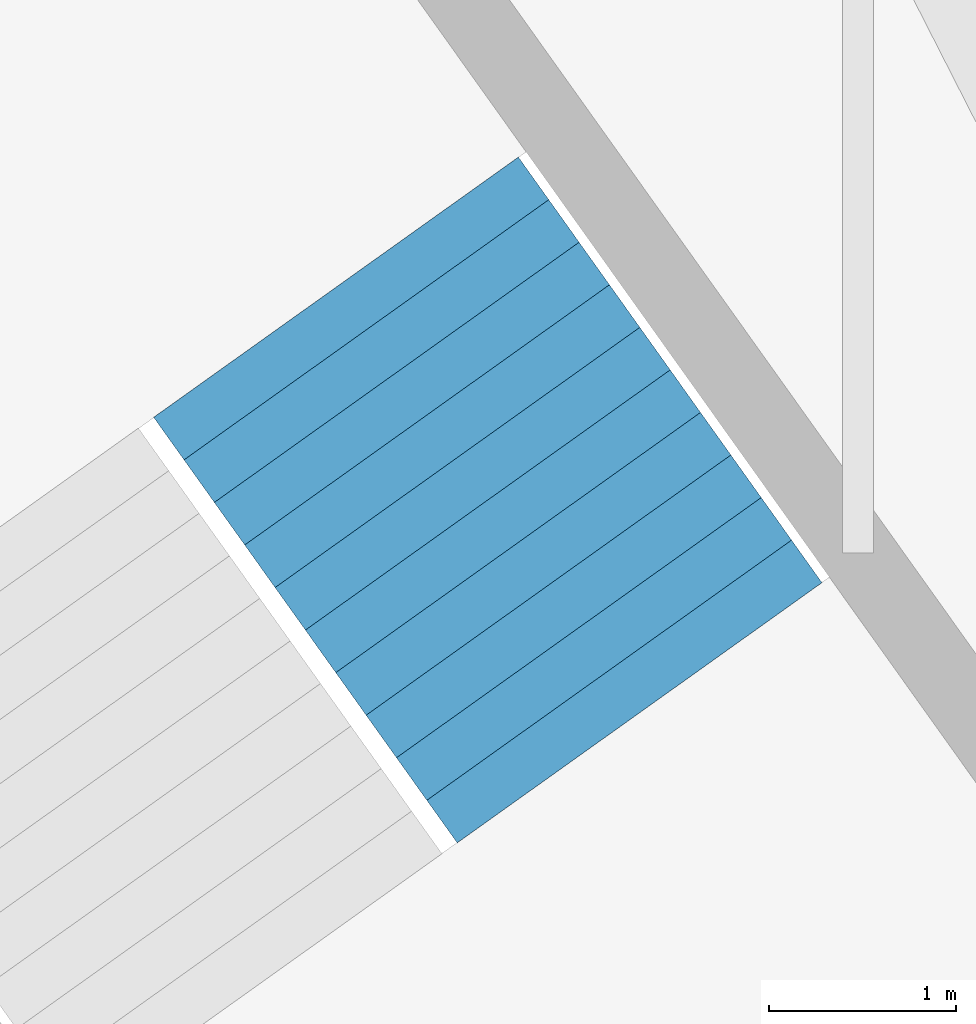
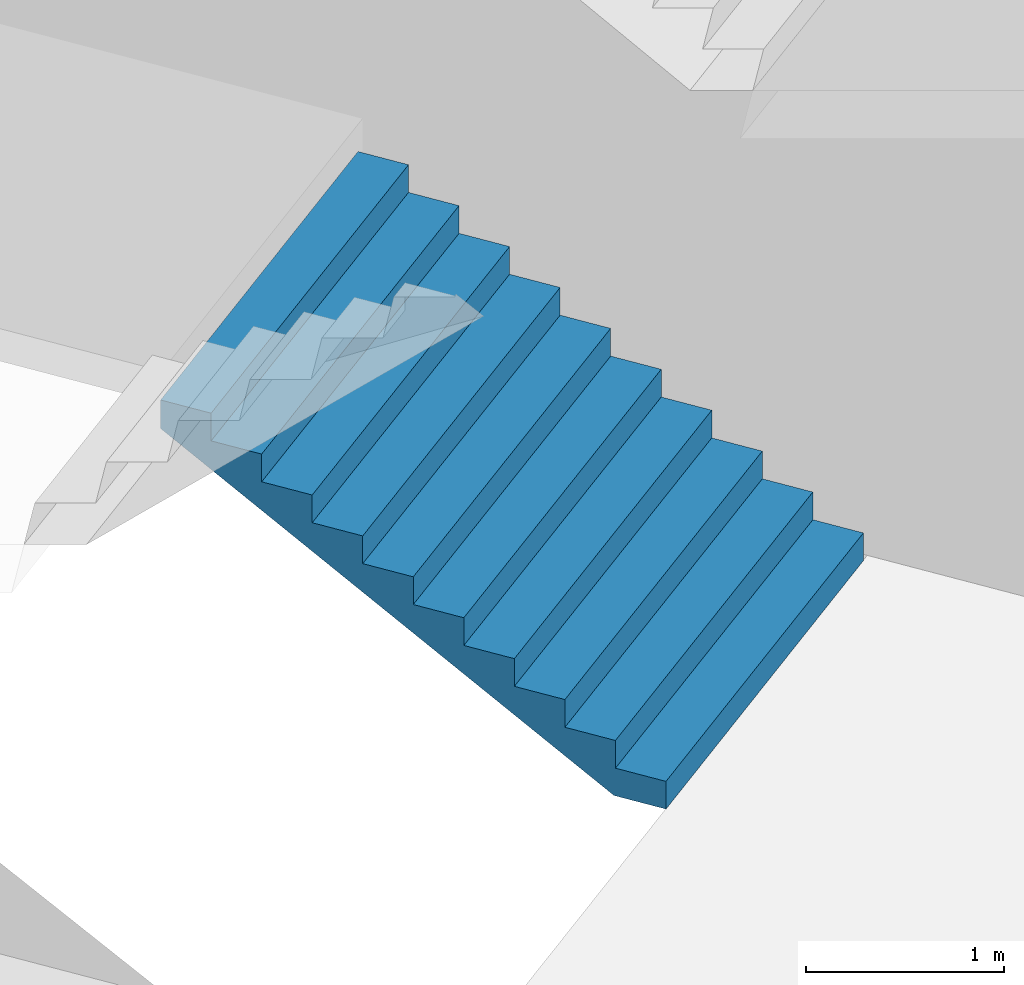
# One storey, part 43 of 73: 1 stair flight, 1 element without a shape of its own.
"""IFC4 building model written with IfcOpenShell, lengths in metres."""

import ifcopenshell
import ifcopenshell.guid

model = None  # the IFC model being written
_history = None  # IfcOwnerHistory: only IFC2X3 demands one
_inside = {}  # id of a spatial element -> (the spatial element, [elements in it])
_under = {}  # id of a project, library or spatial element -> (it, [spatial elements below it])
_declared = {}  # id of a project -> (the project, [libraries it declares])
_typed = {}  # id of a type object -> (the type object, [elements of that type])
_made_of = {}  # id of a material, layer set ... -> (it, [elements and type objects made of it])


def new_model(schema):
    """Start an empty IFC model of exactly this schema.

    Asked for "IFC4X3", IfcOpenShell would pick the latest addendum, in which some entities
    have other attributes; the version numbers below select the first issue.
    IFC2X3 requires an IfcOwnerHistory on every rooted entity: one is made here for all.
    """
    global model, _history
    if schema == "IFC4X3":
        model = ifcopenshell.file(schema_version=(4, 3, 0, 0))
    else:
        model = ifcopenshell.file(schema=schema)
    _inside.clear()
    _under.clear()
    _declared.clear()
    _typed.clear()
    _made_of.clear()
    _history = None
    if model.schema == "IFC2X3":
        org = make("IfcOrganization", Name="unknown")
        user = make(
            "IfcPersonAndOrganization",
            ThePerson=make("IfcPerson", FamilyName="unknown"),
            TheOrganization=org,
        )
        app = make(
            "IfcApplication",
            ApplicationDeveloper=org,
            Version="unknown",
            ApplicationFullName="unknown",
            ApplicationIdentifier="unknown",
        )
        _history = make(
            "IfcOwnerHistory",
            OwningUser=user,
            OwningApplication=app,
            ChangeAction="ADDED",
            CreationDate=0,
        )
    return model


def make(cls, **values):
    """One entity of the class cls with the attributes given. An attribute that is None is left unset."""
    return model.create_entity(
        cls, **{name: value for name, value in values.items() if value is not None}
    )


def rooted(cls, **values):
    """An entity with a GlobalId (a new one), such as an element, a storey or a relation."""
    return make(cls, GlobalId=ifcopenshell.guid.new(), OwnerHistory=_history, **values)


def si_unit(unit_type, name, prefix=None):
    """IfcSIUnit, for example si_unit("LENGTHUNIT", "METRE", prefix="MILLI")."""
    return make("IfcSIUnit", UnitType=unit_type, Prefix=prefix, Name=name)


def assignment(units):
    """IfcUnitAssignment: the units of a project."""
    return None if units is None else make("IfcUnitAssignment", Units=units)


def point(xyz):
    """IfcCartesianPoint."""
    return None if xyz is None else make("IfcCartesianPoint", Coordinates=xyz)


def direction(xyz):
    """IfcDirection."""
    return None if xyz is None else make("IfcDirection", DirectionRatios=xyz)


def frame(location, z_axis=None, x_axis=None):
    """IfcAxis2Placement3D, a coordinate frame: its origin and axes. An axis left out is left unset."""
    return make(
        "IfcAxis2Placement3D",
        Location=point(location),
        Axis=direction(z_axis),
        RefDirection=direction(x_axis),
    )


def origin():
    """The frame at (0, 0, 0) with its axes left unset."""
    return frame((0.0, 0.0, 0.0))


def place(relative_to, where):
    """IfcLocalPlacement: puts the frame where relative to a parent placement (None: the world)."""
    return make(
        "IfcLocalPlacement", PlacementRelTo=relative_to, RelativePlacement=where
    )


def context(
    kind, dimensions, precision=None, world=None, true_north=None, identifier=None
):
    """IfcGeometricRepresentationContext, for example the 3D "Model" context."""
    return make(
        "IfcGeometricRepresentationContext",
        ContextIdentifier=identifier,
        ContextType=kind,
        CoordinateSpaceDimension=dimensions,
        Precision=precision,
        WorldCoordinateSystem=world,
        TrueNorth=true_north,
    )


def subcontext(parent, identifier, kind, view, scale=None):
    """IfcGeometricRepresentationSubContext, for example "Body" below "Model"."""
    return make(
        "IfcGeometricRepresentationSubContext",
        ContextIdentifier=identifier,
        ContextType=kind,
        ParentContext=parent,
        TargetScale=scale,
        TargetView=view,
    )


def project(units=None, contexts=None):
    """IfcProject with its units and contexts."""
    return rooted(
        "IfcProject",
        Name="project",
        RepresentationContexts=contexts,
        UnitsInContext=assignment(units),
    )


def spatial(cls, under=None, at=None, **own):
    """A site, building, storey or space (cls), placed at a placement, below another one or the project."""
    s = rooted(cls, ObjectPlacement=at, **own)
    if under is not None:
        _under.setdefault(under.id(), (under, []))[1].append(s)
    return s


def point_list(points):
    """IfcCartesianPointList2D or 3D."""
    cls = (
        "IfcCartesianPointList2D" if len(points[0]) == 2 else "IfcCartesianPointList3D"
    )
    return make(cls, CoordList=points)


def triangles(points, corners, closed=None, point_numbers=None):
    """IfcTriangulatedFaceSet: each triangle names its three corners, points numbered from 1."""
    return make(
        "IfcTriangulatedFaceSet",
        Coordinates=point_list(points),
        Closed=closed,
        CoordIndex=corners,
        PnIndex=point_numbers,
    )


def shape(context_of_items, identifier, shape_type, items):
    """IfcShapeRepresentation: the items that make up one representation, for example the "Body"."""
    return make(
        "IfcShapeRepresentation",
        ContextOfItems=context_of_items,
        RepresentationIdentifier=identifier,
        RepresentationType=shape_type,
        Items=items,
    )


def material(Name=None, Category=None):
    """IfcMaterial."""
    return make("IfcMaterial", Name=Name, Category=Category)


def made_of(thing, what):
    """Note that an element or type object is made of a material, layer set ...; save() writes the relation."""
    if what is not None:
        _made_of.setdefault(what.id(), (what, []))[1].append(thing)
    return thing


def type_object(cls, material=None, **own):
    """A type object (cls), such as IfcWallType, which elements share."""
    return made_of(rooted(cls, **own), material)


def element(
    cls,
    number,
    at=None,
    inside=None,
    cuts=None,
    type_object=None,
    material=None,
    context=None,
    identifier="Body",
    shape_type=None,
    held_by="IfcProductDefinitionShape",
    body=None,
    shapes=None,
    **own,
):
    """One element of the class cls, such as IfcWall. Its Tag is "e" and its number.

    at: its placement. inside: the storey or other place that contains it. cuts: it is an
    opening in that element (IfcRelVoidsElement). A single representation is given by context,
    identifier, shape_type and body (its items); several are given by shapes. held_by: the class
    of the entity that holds the representations. save() writes the other relations.
    """
    e = rooted(cls, Tag="e%d" % number, ObjectPlacement=at, **own)
    if body is not None:
        shapes = [shape(context, identifier, shape_type, body)]
    if shapes is not None:
        e.Representation = make(held_by, Representations=shapes)
    if inside is not None:
        _inside.setdefault(inside.id(), (inside, []))[1].append(e)
    if cuts is not None:
        rooted(
            "IfcRelVoidsElement", RelatingBuildingElement=cuts, RelatedOpeningElement=e
        )
    if type_object is not None:
        _typed.setdefault(type_object.id(), (type_object, []))[1].append(e)
    return made_of(e, material)


def aggregate(whole, parts):
    """IfcRelAggregates: a whole, such as a stair, and the parts it consists of."""
    return rooted("IfcRelAggregates", RelatingObject=whole, RelatedObjects=parts)


def save(model, path):
    """Write the relations noted so far, then the file.

    IfcRelAggregates (storeys below a building ...), IfcRelContainedInSpatialStructure (elements
    in a storey), IfcRelDefinesByType, IfcRelAssociatesMaterial and IfcRelDeclares: one each for
    every whole, place, type object, material and project.
    """
    for whole, parts in _under.values():
        aggregate(whole, parts)
    for where, things in _inside.values():
        rooted(
            "IfcRelContainedInSpatialStructure",
            RelatedElements=things,
            RelatingStructure=where,
        )
    for kind, things in _typed.values():
        rooted("IfcRelDefinesByType", RelatedObjects=things, RelatingType=kind)
    for what, things in _made_of.values():
        rooted("IfcRelAssociatesMaterial", RelatedObjects=things, RelatingMaterial=what)
    for by, libraries in _declared.values():
        rooted("IfcRelDeclares", RelatingContext=by, RelatedDefinitions=libraries)
    model.write(path)


model = new_model("IFC4")

# Units and contexts
model_context = context("Model", 3, precision=1e-05, world=origin(), true_north=direction((0.0, 1.0)))
body_context = subcontext(model_context, "Body", "Model", "MODEL_VIEW")
ifc_project = project(units=[si_unit("LENGTHUNIT", "METRE"), si_unit("AREAUNIT", "SQUARE_METRE"), si_unit("VOLUMEUNIT", "CUBIC_METRE"), si_unit("PLANEANGLEUNIT", "RADIAN"), si_unit("MASSUNIT", "GRAM", prefix="KILO")], contexts=[model_context])

# Site, building, storey
site_placement = place(None, origin())
site = spatial("IfcSite", under=ifc_project, at=site_placement, CompositionType="ELEMENT")
building_placement = place(site_placement, origin())
building = spatial("IfcBuilding", under=site, at=building_placement, Name="Lantaw Convention Tower", CompositionType="ELEMENT")
storey_placement = place(building_placement, frame((0.0, 0.0, 14.5)))
storey = spatial("IfcBuildingStorey", under=building, at=storey_placement, Name="L02", CompositionType="ELEMENT", Elevation=14.5)

# Stair, stair flight
ifc_material = material(Name="Concrete C35/45", Category="concrete")
stair_type = type_object("IfcStairType", Name="Exit stair 2400 riser 170.45 in 4 flights", PredefinedType="HALF_TURN_STAIR", material=ifc_material)
stair_placement = place(storey_placement, origin())
stair = element("IfcStair", 1, at=stair_placement, inside=storey, type_object=stair_type, Name="Podium exit stair P6 L02", PredefinedType="HALF_TURN_STAIR")
stair_flight_type = type_object("IfcStairFlightType", Name="Stair flight 2400 riser 170.45", PredefinedType="STRAIGHT", material=ifc_material)
stair_flight_placement = place(storey_placement, frame((-16.97021484375, 25.944091796875, 0.0), z_axis=(0.0, 0.0, 1.0), x_axis=(-0.580702955711, 0.814115518356, 0.0)))
stair_flight = element("IfcStairFlight", 2, at=stair_flight_placement, type_object=stair_flight_type, Name="P6 flight 1", NumberOfRisers=11, NumberOfTreads=10, PredefinedType="STRAIGHT", RiserHeight=0.170454545, TreadLength=0.28, context=body_context, shape_type="Tessellation", body=[
    triangles([(0.0, 1.199951171875, 0.0), (0.0, 1.199951171875, 0.170454545), (0.28, 1.199951171875, 0.0), (0.28, 1.199951171875, 0.170454545), (0.28, 1.199951171875, 0.34090909), (0.28827876332691904, 1.199951171875, 0.0), (0.28827876332691904, 1.199951171875, 0.34090909), (0.56, 1.199951171875, 0.16541471344266906), (0.56, 1.199951171875, 0.34090909), (0.56, 1.199951171875, 0.511363635), (0.8400000000000001, 1.199951171875, 0.335869258442669), (0.8400000000000001, 1.199951171875, 0.511363635), (0.8400000000000001, 1.199951171875, 0.68181818), (1.12, 1.199951171875, 0.506323803442669), (1.12, 1.199951171875, 0.68181818), (1.12, 1.199951171875, 0.8522727250000001), (1.4000000000000001, 1.199951171875, 0.676778348442669), (1.4000000000000001, 1.199951171875, 0.8522727250000001), (1.4000000000000001, 1.199951171875, 1.02272727), (1.6800000000000002, 1.199951171875, 0.847232893442669), (1.6800000000000002, 1.199951171875, 1.02272727), (1.6800000000000002, 1.199951171875, 1.193181815), (1.9600000000000002, 1.199951171875, 1.017687438442669), (1.9600000000000002, 1.199951171875, 1.193181815), (1.9600000000000002, 1.199951171875, 1.36363636), (2.24, 1.199951171875, 1.188141983442669), (2.24, 1.199951171875, 1.36363636), (2.24, 1.199951171875, 1.5340909050000002), (2.5200000000000005, 1.199951171875, 1.358596528442669), (2.5200000000000005, 1.199951171875, 1.5340909050000002), (2.5200000000000005, 1.199951171875, 1.7045454500000001), (2.8000000000000003, 1.199951171875, 1.529051073442669), (2.8000000000000003, 1.199951171875, 1.7045454500000001), (0.0, -1.199951171875, 0.0), (0.0, -1.199951171875, 0.170454545), (0.28, -1.199951171875, 0.0), (0.28, -1.199951171875, 0.170454545), (0.28, -1.199951171875, 0.34090909), (0.28827876332691904, -1.199951171875, 0.0), (0.28827876332691904, -1.199951171875, 0.34090909), (0.56, -1.199951171875, 0.16541471344266906), (0.56, -1.199951171875, 0.34090909), (0.56, -1.199951171875, 0.511363635), (0.8400000000000001, -1.199951171875, 0.335869258442669), (0.8400000000000001, -1.199951171875, 0.511363635), (0.8400000000000001, -1.199951171875, 0.68181818), (1.12, -1.199951171875, 0.506323803442669), (1.12, -1.199951171875, 0.68181818), (1.12, -1.199951171875, 0.8522727250000001), (1.4000000000000001, -1.199951171875, 0.676778348442669), (1.4000000000000001, -1.199951171875, 0.8522727250000001), (1.4000000000000001, -1.199951171875, 1.02272727), (1.6800000000000002, -1.199951171875, 0.847232893442669), (1.6800000000000002, -1.199951171875, 1.02272727), (1.6800000000000002, -1.199951171875, 1.193181815), (1.9600000000000002, -1.199951171875, 1.017687438442669), (1.9600000000000002, -1.199951171875, 1.193181815), (1.9600000000000002, -1.199951171875, 1.36363636), (2.24, -1.199951171875, 1.188141983442669), (2.24, -1.199951171875, 1.36363636), (2.24, -1.199951171875, 1.5340909050000002), (2.5200000000000005, -1.199951171875, 1.358596528442669), (2.5200000000000005, -1.199951171875, 1.5340909050000002), (2.5200000000000005, -1.199951171875, 1.7045454500000001), (2.8000000000000003, -1.199951171875, 1.529051073442669), (2.8000000000000003, -1.199951171875, 1.7045454500000001), (0.0, 0.239990234375, 0.170454545), (0.0, 0.239990234375, 0.0), (0.0, 0.1199951171875, 0.170454545), (0.0, 0.1199951171875, 0.0), (0.0, 0.0, 0.170454545), (0.0, 0.0, 0.0), (0.0, -0.1199951171875, 0.170454545), (0.0, -0.1199951171875, 0.0), (0.0, -0.239990234375, 0.170454545), (0.0, -0.239990234375, 0.0), (0.28, 0.239990234375, 0.34090909), (0.28, 0.239990234375, 0.170454545), (0.28, 0.1199951171875, 0.34090909), (0.28, 0.1199951171875, 0.170454545), (0.28, 0.0, 0.34090909), (0.28, 0.0, 0.170454545), (0.28, -0.1199951171875, 0.34090909), (0.28, -0.1199951171875, 0.170454545), (0.28, -0.239990234375, 0.34090909), (0.28, -0.239990234375, 0.170454545), (0.56, 0.239990234375, 0.511363635), (0.56, 0.239990234375, 0.34090909), (0.56, 0.1199951171875, 0.511363635), (0.56, 0.1199951171875, 0.34090909), (0.56, 0.0, 0.511363635), (0.56, 0.0, 0.34090909), (0.56, -0.1199951171875, 0.511363635), (0.56, -0.1199951171875, 0.34090909), (0.56, -0.239990234375, 0.511363635), (0.56, -0.239990234375, 0.34090909), (0.8400000000000001, 0.239990234375, 0.68181818), (0.8400000000000001, 0.239990234375, 0.511363635), (0.8400000000000001, 0.1199951171875, 0.68181818), (0.8400000000000001, 0.1199951171875, 0.511363635), (0.8400000000000001, 0.0, 0.68181818), (0.8400000000000001, 0.0, 0.511363635), (0.8400000000000001, -0.1199951171875, 0.68181818), (0.8400000000000001, -0.1199951171875, 0.511363635), (0.8400000000000001, -0.239990234375, 0.68181818), (0.8400000000000001, -0.239990234375, 0.511363635), (1.12, 0.239990234375, 0.8522727250000001), (1.12, 0.239990234375, 0.68181818), (1.12, 0.1199951171875, 0.8522727250000001), (1.12, 0.1199951171875, 0.68181818), (1.12, 0.0, 0.8522727250000001), (1.12, 0.0, 0.68181818), (1.12, -0.1199951171875, 0.8522727250000001), (1.12, -0.1199951171875, 0.68181818), (1.12, -0.239990234375, 0.8522727250000001), (1.12, -0.239990234375, 0.68181818), (1.4000000000000001, 0.239990234375, 1.02272727), (1.4000000000000001, 0.239990234375, 0.8522727250000001), (1.4000000000000001, 0.1199951171875, 1.02272727), (1.4000000000000001, 0.1199951171875, 0.8522727250000001), (1.4000000000000001, 0.0, 1.02272727), (1.4000000000000001, 0.0, 0.8522727250000001), (1.4000000000000001, -0.1199951171875, 1.02272727), (1.4000000000000001, -0.1199951171875, 0.8522727250000001), (1.4000000000000001, -0.239990234375, 1.02272727), (1.4000000000000001, -0.239990234375, 0.8522727250000001), (1.6800000000000002, 0.239990234375, 1.193181815), (1.6800000000000002, 0.239990234375, 1.02272727), (1.6800000000000002, 0.1199951171875, 1.193181815), (1.6800000000000002, 0.1199951171875, 1.02272727), (1.6800000000000002, 0.0, 1.193181815), (1.6800000000000002, 0.0, 1.02272727), (1.6800000000000002, -0.1199951171875, 1.193181815), (1.6800000000000002, -0.1199951171875, 1.02272727), (1.6800000000000002, -0.239990234375, 1.193181815), (1.6800000000000002, -0.239990234375, 1.02272727), (1.9600000000000002, 0.239990234375, 1.36363636), (1.9600000000000002, 0.239990234375, 1.193181815), (1.9600000000000002, 0.1199951171875, 1.36363636), (1.9600000000000002, 0.1199951171875, 1.193181815), (1.9600000000000002, 0.0, 1.36363636), (1.9600000000000002, 0.0, 1.193181815), (1.9600000000000002, -0.1199951171875, 1.36363636), (1.9600000000000002, -0.1199951171875, 1.193181815), (1.9600000000000002, -0.239990234375, 1.36363636), (1.9600000000000002, -0.239990234375, 1.193181815), (2.24, 0.239990234375, 1.5340909050000002), (2.24, 0.239990234375, 1.36363636), (2.24, 0.1199951171875, 1.5340909050000002), (2.24, 0.1199951171875, 1.36363636), (2.24, 0.0, 1.5340909050000002), (2.24, 0.0, 1.36363636), (2.24, -0.1199951171875, 1.5340909050000002), (2.24, -0.1199951171875, 1.36363636), (2.24, -0.239990234375, 1.5340909050000002), (2.24, -0.239990234375, 1.36363636), (2.5200000000000005, 0.239990234375, 1.7045454500000001), (2.5200000000000005, 0.239990234375, 1.5340909050000002), (2.5200000000000005, 0.1199951171875, 1.7045454500000001), (2.5200000000000005, 0.1199951171875, 1.5340909050000002), (2.5200000000000005, 0.0, 1.7045454500000001), (2.5200000000000005, 0.0, 1.5340909050000002), (2.5200000000000005, -0.1199951171875, 1.7045454500000001), (2.5200000000000005, -0.1199951171875, 1.5340909050000002), (2.5200000000000005, -0.239990234375, 1.7045454500000001), (2.5200000000000005, -0.239990234375, 1.5340909050000002), (0.28827876332691904, 0.239990234375, 0.34090909), (0.28827876332691904, 0.1199951171875, 0.34090909), (0.28827876332691904, 0.0, 0.34090909), (0.28827876332691904, -0.1199951171875, 0.34090909), (0.28827876332691904, -0.239990234375, 0.34090909), (2.8000000000000003, 0.239990234375, 1.7045454500000001), (2.8000000000000003, 0.1199951171875, 1.7045454500000001), (2.8000000000000003, 0.0, 1.7045454500000001), (2.8000000000000003, -0.1199951171875, 1.7045454500000001), (2.8000000000000003, -0.239990234375, 1.7045454500000001), (2.8000000000000003, 0.239990234375, 1.5290510734426692), (2.8000000000000003, 0.1199951171875, 1.5290510734426692), (2.8000000000000003, 0.0, 1.5290510734426692), (2.8000000000000003, -0.1199951171875, 1.5290510734426692), (2.8000000000000003, -0.239990234375, 1.5290510734426692), (2.5200000000000005, 0.239990234375, 1.358596528442669), (2.5200000000000005, 0.1199951171875, 1.358596528442669), (2.5200000000000005, 0.0, 1.358596528442669), (2.5200000000000005, -0.1199951171875, 1.358596528442669), (2.5200000000000005, -0.239990234375, 1.358596528442669), (2.24, 0.239990234375, 1.188141983442669), (2.24, 0.1199951171875, 1.188141983442669), (2.24, 0.0, 1.188141983442669), (2.24, -0.1199951171875, 1.188141983442669), (2.24, -0.239990234375, 1.188141983442669), (1.9600000000000002, 0.239990234375, 1.017687438442669), (1.9600000000000002, 0.1199951171875, 1.017687438442669), (1.9600000000000002, 0.0, 1.017687438442669), (1.9600000000000002, -0.1199951171875, 1.017687438442669), (1.9600000000000002, -0.239990234375, 1.017687438442669), (1.6800000000000002, 0.239990234375, 0.847232893442669), (1.6800000000000002, 0.1199951171875, 0.847232893442669), (1.6800000000000002, 0.0, 0.847232893442669), (1.6800000000000002, -0.1199951171875, 0.847232893442669), (1.6800000000000002, -0.239990234375, 0.847232893442669), (1.4000000000000001, 0.239990234375, 0.676778348442669), (1.4000000000000001, 0.1199951171875, 0.676778348442669), (1.4000000000000001, 0.0, 0.676778348442669), (1.4000000000000001, -0.1199951171875, 0.676778348442669), (1.4000000000000001, -0.239990234375, 0.676778348442669), (1.12, 0.239990234375, 0.506323803442669), (1.12, 0.1199951171875, 0.506323803442669), (1.12, 0.0, 0.506323803442669), (1.12, -0.1199951171875, 0.506323803442669), (1.12, -0.239990234375, 0.506323803442669), (0.8400000000000001, 0.239990234375, 0.335869258442669), (0.8400000000000001, 0.1199951171875, 0.335869258442669), (0.8400000000000001, 0.0, 0.335869258442669), (0.8400000000000001, -0.1199951171875, 0.335869258442669), (0.8400000000000001, -0.239990234375, 0.335869258442669), (0.56, 0.239990234375, 0.16541471344266906), (0.56, 0.1199951171875, 0.16541471344266906), (0.56, 0.0, 0.16541471344266906), (0.56, -0.1199951171875, 0.16541471344266906), (0.56, -0.239990234375, 0.16541471344266906), (0.28827876332691904, 0.239990234375, 0.0), (0.28827876332691904, 0.1199951171875, 0.0), (0.28827876332691904, 0.0, 0.0), (0.28827876332691904, -0.1199951171875, 0.0), (0.28827876332691904, -0.239990234375, 0.0), (0.28, 0.239990234375, 0.0), (0.28, 0.1199951171875, 0.0), (0.28, 0.0, 0.0), (0.28, -0.1199951171875, 0.0), (0.28, -0.239990234375, 0.0)], [[1, 4, 3], [1, 2, 4], [3, 4, 6], [4, 7, 6], [4, 5, 7], [6, 9, 8], [6, 7, 9], [8, 9, 11], [9, 12, 11], [9, 10, 12], [11, 12, 14], [12, 15, 14], [12, 13, 15], [14, 15, 17], [15, 18, 17], [15, 16, 18], [17, 18, 20], [18, 21, 20], [18, 19, 21], [20, 21, 23], [21, 24, 23], [21, 22, 24], [23, 24, 26], [24, 27, 26], [24, 25, 27], [26, 27, 29], [27, 30, 29], [27, 28, 30], [29, 30, 32], [30, 33, 32], [30, 31, 33], [34, 36, 37], [34, 37, 35], [36, 39, 37], [37, 39, 40], [37, 40, 38], [39, 41, 42], [39, 42, 40], [41, 44, 42], [42, 44, 45], [42, 45, 43], [44, 47, 45], [45, 47, 48], [45, 48, 46], [47, 50, 48], [48, 50, 51], [48, 51, 49], [50, 53, 51], [51, 53, 54], [51, 54, 52], [53, 56, 54], [54, 56, 57], [54, 57, 55], [56, 59, 57], [57, 59, 60], [57, 60, 58], [59, 62, 60], [60, 62, 63], [60, 63, 61], [62, 65, 63], [63, 65, 66], [63, 66, 64], [1, 67, 2], [1, 68, 67], [68, 69, 67], [68, 70, 69], [70, 71, 69], [70, 72, 71], [72, 73, 71], [72, 74, 73], [74, 75, 73], [74, 76, 75], [76, 35, 75], [76, 34, 35], [4, 77, 5], [4, 78, 77], [78, 79, 77], [78, 80, 79], [80, 81, 79], [80, 82, 81], [82, 83, 81], [82, 84, 83], [84, 85, 83], [84, 86, 85], [86, 38, 85], [86, 37, 38], [9, 87, 10], [9, 88, 87], [88, 89, 87], [88, 90, 89], [90, 91, 89], [90, 92, 91], [92, 93, 91], [92, 94, 93], [94, 95, 93], [94, 96, 95], [96, 43, 95], [96, 42, 43], [12, 97, 13], [12, 98, 97], [98, 99, 97], [98, 100, 99], [100, 101, 99], [100, 102, 101], [102, 103, 101], [102, 104, 103], [104, 105, 103], [104, 106, 105], [106, 46, 105], [106, 45, 46], [15, 107, 16], [15, 108, 107], [108, 109, 107], [108, 110, 109], [110, 111, 109], [110, 112, 111], [112, 113, 111], [112, 114, 113], [114, 115, 113], [114, 116, 115], [116, 49, 115], [116, 48, 49], [18, 117, 19], [18, 118, 117], [118, 119, 117], [118, 120, 119], [120, 121, 119], [120, 122, 121], [122, 123, 121], [122, 124, 123], [124, 125, 123], [124, 126, 125], [126, 52, 125], [126, 51, 52], [21, 127, 22], [21, 128, 127], [128, 129, 127], [128, 130, 129], [130, 131, 129], [130, 132, 131], [132, 133, 131], [132, 134, 133], [134, 135, 133], [134, 136, 135], [136, 55, 135], [136, 54, 55], [24, 137, 25], [24, 138, 137], [138, 139, 137], [138, 140, 139], [140, 141, 139], [140, 142, 141], [142, 143, 141], [142, 144, 143], [144, 145, 143], [144, 146, 145], [146, 58, 145], [146, 57, 58], [27, 147, 28], [27, 148, 147], [148, 149, 147], [148, 150, 149], [150, 151, 149], [150, 152, 151], [152, 153, 151], [152, 154, 153], [154, 155, 153], [154, 156, 155], [156, 61, 155], [156, 60, 61], [30, 157, 31], [30, 158, 157], [158, 159, 157], [158, 160, 159], [160, 161, 159], [160, 162, 161], [162, 163, 161], [162, 164, 163], [164, 165, 163], [164, 166, 165], [166, 64, 165], [166, 63, 64], [2, 78, 4], [2, 67, 78], [67, 80, 78], [67, 69, 80], [69, 82, 80], [69, 71, 82], [71, 84, 82], [71, 73, 84], [73, 86, 84], [73, 75, 86], [75, 37, 86], [75, 35, 37], [5, 167, 7], [5, 77, 167], [77, 168, 167], [77, 79, 168], [79, 169, 168], [79, 81, 169], [81, 170, 169], [81, 83, 170], [83, 171, 170], [83, 85, 171], [85, 40, 171], [85, 38, 40], [7, 88, 9], [7, 167, 88], [167, 90, 88], [167, 168, 90], [168, 92, 90], [168, 169, 92], [169, 94, 92], [169, 170, 94], [170, 96, 94], [170, 171, 96], [171, 42, 96], [171, 40, 42], [10, 98, 12], [10, 87, 98], [87, 100, 98], [87, 89, 100], [89, 102, 100], [89, 91, 102], [91, 104, 102], [91, 93, 104], [93, 106, 104], [93, 95, 106], [95, 45, 106], [95, 43, 45], [13, 108, 15], [13, 97, 108], [97, 110, 108], [97, 99, 110], [99, 112, 110], [99, 101, 112], [101, 114, 112], [101, 103, 114], [103, 116, 114], [103, 105, 116], [105, 48, 116], [105, 46, 48], [16, 118, 18], [16, 107, 118], [107, 120, 118], [107, 109, 120], [109, 122, 120], [109, 111, 122], [111, 124, 122], [111, 113, 124], [113, 126, 124], [113, 115, 126], [115, 51, 126], [115, 49, 51], [19, 128, 21], [19, 117, 128], [117, 130, 128], [117, 119, 130], [119, 132, 130], [119, 121, 132], [121, 134, 132], [121, 123, 134], [123, 136, 134], [123, 125, 136], [125, 54, 136], [125, 52, 54], [22, 138, 24], [22, 127, 138], [127, 140, 138], [127, 129, 140], [129, 142, 140], [129, 131, 142], [131, 144, 142], [131, 133, 144], [133, 146, 144], [133, 135, 146], [135, 57, 146], [135, 55, 57], [25, 148, 27], [25, 137, 148], [137, 150, 148], [137, 139, 150], [139, 152, 150], [139, 141, 152], [141, 154, 152], [141, 143, 154], [143, 156, 154], [143, 145, 156], [145, 60, 156], [145, 58, 60], [28, 158, 30], [28, 147, 158], [147, 160, 158], [147, 149, 160], [149, 162, 160], [149, 151, 162], [151, 164, 162], [151, 153, 164], [153, 166, 164], [153, 155, 166], [155, 63, 166], [155, 61, 63], [31, 172, 33], [31, 157, 172], [157, 173, 172], [157, 159, 173], [159, 174, 173], [159, 161, 174], [161, 175, 174], [161, 163, 175], [163, 176, 175], [163, 165, 176], [165, 66, 176], [165, 64, 66], [33, 177, 32], [33, 172, 177], [172, 178, 177], [172, 173, 178], [173, 179, 178], [173, 174, 179], [174, 180, 179], [174, 175, 180], [175, 181, 180], [175, 176, 181], [176, 65, 181], [176, 66, 65], [32, 182, 29], [32, 177, 182], [177, 183, 182], [177, 178, 183], [178, 184, 183], [178, 179, 184], [179, 185, 184], [179, 180, 185], [180, 186, 185], [180, 181, 186], [181, 62, 186], [181, 65, 62], [29, 187, 26], [29, 182, 187], [182, 188, 187], [182, 183, 188], [183, 189, 188], [183, 184, 189], [184, 190, 189], [184, 185, 190], [185, 191, 190], [185, 186, 191], [186, 59, 191], [186, 62, 59], [26, 192, 23], [26, 187, 192], [187, 193, 192], [187, 188, 193], [188, 194, 193], [188, 189, 194], [189, 195, 194], [189, 190, 195], [190, 196, 195], [190, 191, 196], [191, 56, 196], [191, 59, 56], [23, 197, 20], [23, 192, 197], [192, 198, 197], [192, 193, 198], [193, 199, 198], [193, 194, 199], [194, 200, 199], [194, 195, 200], [195, 201, 200], [195, 196, 201], [196, 53, 201], [196, 56, 53], [20, 202, 17], [20, 197, 202], [197, 203, 202], [197, 198, 203], [198, 204, 203], [198, 199, 204], [199, 205, 204], [199, 200, 205], [200, 206, 205], [200, 201, 206], [201, 50, 206], [201, 53, 50], [17, 207, 14], [17, 202, 207], [202, 208, 207], [202, 203, 208], [203, 209, 208], [203, 204, 209], [204, 210, 209], [204, 205, 210], [205, 211, 210], [205, 206, 211], [206, 47, 211], [206, 50, 47], [14, 212, 11], [14, 207, 212], [207, 213, 212], [207, 208, 213], [208, 214, 213], [208, 209, 214], [209, 215, 214], [209, 210, 215], [210, 216, 215], [210, 211, 216], [211, 44, 216], [211, 47, 44], [11, 217, 8], [11, 212, 217], [212, 218, 217], [212, 213, 218], [213, 219, 218], [213, 214, 219], [214, 220, 219], [214, 215, 220], [215, 221, 220], [215, 216, 221], [216, 41, 221], [216, 44, 41], [8, 222, 6], [8, 217, 222], [217, 223, 222], [217, 218, 223], [218, 224, 223], [218, 219, 224], [219, 225, 224], [219, 220, 225], [220, 226, 225], [220, 221, 226], [221, 39, 226], [221, 41, 39], [6, 227, 3], [6, 222, 227], [222, 228, 227], [222, 223, 228], [223, 229, 228], [223, 224, 229], [224, 230, 229], [224, 225, 230], [225, 231, 230], [225, 226, 231], [226, 36, 231], [226, 39, 36], [3, 68, 1], [3, 227, 68], [227, 70, 68], [227, 228, 70], [228, 72, 70], [228, 229, 72], [229, 74, 72], [229, 230, 74], [230, 76, 74], [230, 231, 76], [231, 34, 76], [231, 36, 34]], closed=True),
])
aggregate(stair, [stair_flight])

save(model, "model.ifc")
